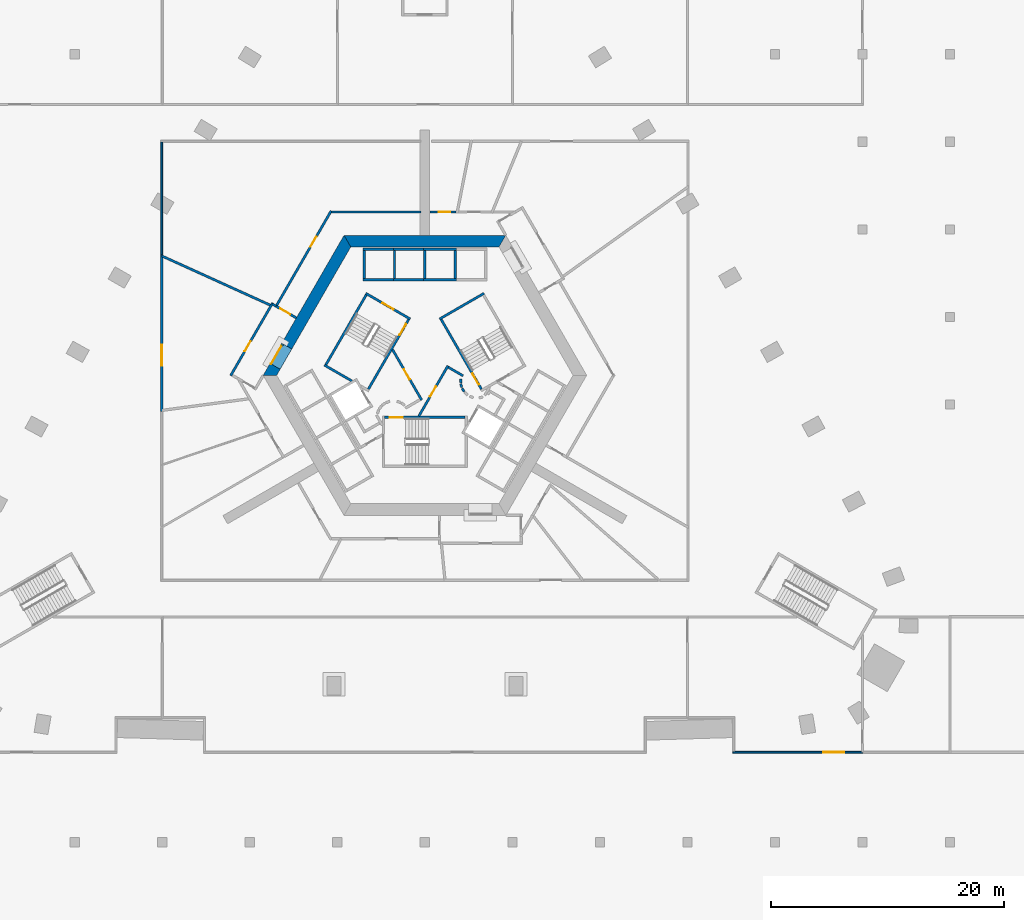
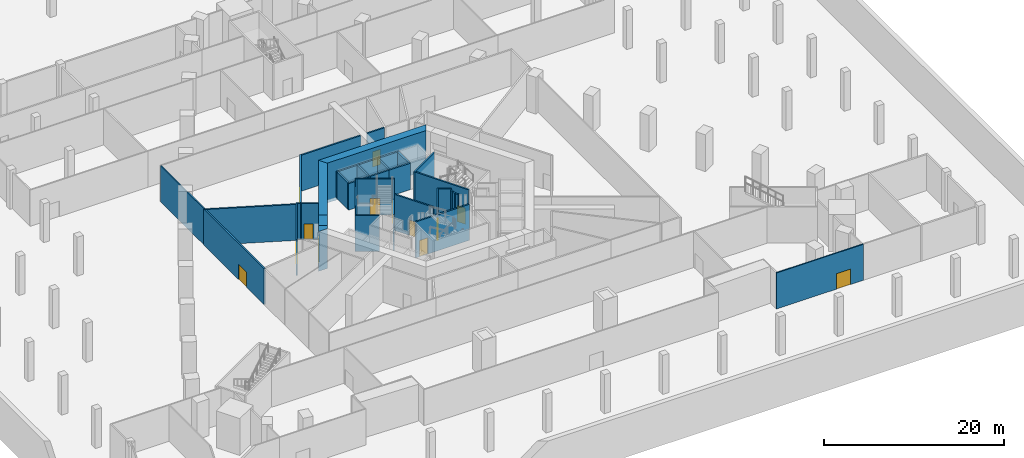
# One storey, part 7 of 20: 38 walls, 13 doors, 13 openings.
"""IFC4 building model written with IfcOpenShell, lengths in metres."""

import ifcopenshell
import ifcopenshell.guid

model = None  # the IFC model being written
_history = None  # IfcOwnerHistory: only IFC2X3 demands one
_inside = {}  # id of a spatial element -> (the spatial element, [elements in it])
_under = {}  # id of a project, library or spatial element -> (it, [spatial elements below it])
_declared = {}  # id of a project -> (the project, [libraries it declares])
_typed = {}  # id of a type object -> (the type object, [elements of that type])
_made_of = {}  # id of a material, layer set ... -> (it, [elements and type objects made of it])


def new_model(schema):
    """Start an empty IFC model of exactly this schema.

    Asked for "IFC4X3", IfcOpenShell would pick the latest addendum, in which some entities
    have other attributes; the version numbers below select the first issue.
    IFC2X3 requires an IfcOwnerHistory on every rooted entity: one is made here for all.
    """
    global model, _history
    if schema == "IFC4X3":
        model = ifcopenshell.file(schema_version=(4, 3, 0, 0))
    else:
        model = ifcopenshell.file(schema=schema)
    _inside.clear()
    _under.clear()
    _declared.clear()
    _typed.clear()
    _made_of.clear()
    _history = None
    if model.schema == "IFC2X3":
        org = make("IfcOrganization", Name="unknown")
        user = make(
            "IfcPersonAndOrganization",
            ThePerson=make("IfcPerson", FamilyName="unknown"),
            TheOrganization=org,
        )
        app = make(
            "IfcApplication",
            ApplicationDeveloper=org,
            Version="unknown",
            ApplicationFullName="unknown",
            ApplicationIdentifier="unknown",
        )
        _history = make(
            "IfcOwnerHistory",
            OwningUser=user,
            OwningApplication=app,
            ChangeAction="ADDED",
            CreationDate=0,
        )
    return model


def make(cls, **values):
    """One entity of the class cls with the attributes given. An attribute that is None is left unset."""
    return model.create_entity(
        cls, **{name: value for name, value in values.items() if value is not None}
    )


def rooted(cls, **values):
    """An entity with a GlobalId (a new one), such as an element, a storey or a relation."""
    return make(cls, GlobalId=ifcopenshell.guid.new(), OwnerHistory=_history, **values)


def si_unit(unit_type, name, prefix=None):
    """IfcSIUnit, for example si_unit("LENGTHUNIT", "METRE", prefix="MILLI")."""
    return make("IfcSIUnit", UnitType=unit_type, Prefix=prefix, Name=name)


def assignment(units):
    """IfcUnitAssignment: the units of a project."""
    return None if units is None else make("IfcUnitAssignment", Units=units)


def point(xyz):
    """IfcCartesianPoint."""
    return None if xyz is None else make("IfcCartesianPoint", Coordinates=xyz)


def direction(xyz):
    """IfcDirection."""
    return None if xyz is None else make("IfcDirection", DirectionRatios=xyz)


def frame(location, z_axis=None, x_axis=None):
    """IfcAxis2Placement3D, a coordinate frame: its origin and axes. An axis left out is left unset."""
    return make(
        "IfcAxis2Placement3D",
        Location=point(location),
        Axis=direction(z_axis),
        RefDirection=direction(x_axis),
    )


def frame_2d(location, x_axis=None):
    """IfcAxis2Placement2D, a coordinate frame in the plane: its origin and x axis."""
    return make(
        "IfcAxis2Placement2D", Location=point(location), RefDirection=direction(x_axis)
    )


def origin():
    """The frame at (0, 0, 0) with its axes left unset."""
    return frame((0.0, 0.0, 0.0))


def place(relative_to, where):
    """IfcLocalPlacement: puts the frame where relative to a parent placement (None: the world)."""
    return make(
        "IfcLocalPlacement", PlacementRelTo=relative_to, RelativePlacement=where
    )


def context(
    kind, dimensions, precision=None, world=None, true_north=None, identifier=None
):
    """IfcGeometricRepresentationContext, for example the 3D "Model" context."""
    return make(
        "IfcGeometricRepresentationContext",
        ContextIdentifier=identifier,
        ContextType=kind,
        CoordinateSpaceDimension=dimensions,
        Precision=precision,
        WorldCoordinateSystem=world,
        TrueNorth=true_north,
    )


def subcontext(parent, identifier, kind, view, scale=None):
    """IfcGeometricRepresentationSubContext, for example "Body" below "Model"."""
    return make(
        "IfcGeometricRepresentationSubContext",
        ContextIdentifier=identifier,
        ContextType=kind,
        ParentContext=parent,
        TargetScale=scale,
        TargetView=view,
    )


def project(units=None, contexts=None):
    """IfcProject with its units and contexts."""
    return rooted(
        "IfcProject",
        Name="project",
        RepresentationContexts=contexts,
        UnitsInContext=assignment(units),
    )


def spatial(cls, under=None, at=None, **own):
    """A site, building, storey or space (cls), placed at a placement, below another one or the project."""
    s = rooted(cls, ObjectPlacement=at, **own)
    if under is not None:
        _under.setdefault(under.id(), (under, []))[1].append(s)
    return s


def polyline(points):
    """IfcPolyline through the points."""
    return make("IfcPolyline", Points=[point(p) for p in points])


def profile(cls, at=None, kind="AREA", **sizes):
    """A parametric profile (cls). Its sizes go by their IFC names, for example OverallWidth=200.0."""
    return make(cls, ProfileType=kind, Position=at, **sizes)


def rectangle(**sizes):
    """IfcRectangleProfileDef."""
    return profile("IfcRectangleProfileDef", **sizes)


def outline(outer, holes=None, kind="AREA"):
    """IfcArbitraryClosedProfileDef: a profile drawn as a closed curve; with holes, ...WithVoids."""
    if holes is None:
        return make("IfcArbitraryClosedProfileDef", ProfileType=kind, OuterCurve=outer)
    return make(
        "IfcArbitraryProfileDefWithVoids",
        ProfileType=kind,
        OuterCurve=outer,
        InnerCurves=holes,
    )


def extrude(swept, where, along, depth):
    """IfcExtrudedAreaSolid: the profile swept, set in the frame where, extruded along a direction by depth."""
    return make(
        "IfcExtrudedAreaSolid",
        SweptArea=swept,
        Position=where,
        ExtrudedDirection=direction(along),
        Depth=depth,
    )


def shape(context_of_items, identifier, shape_type, items):
    """IfcShapeRepresentation: the items that make up one representation, for example the "Body"."""
    return make(
        "IfcShapeRepresentation",
        ContextOfItems=context_of_items,
        RepresentationIdentifier=identifier,
        RepresentationType=shape_type,
        Items=items,
    )


def material(Name=None, Category=None):
    """IfcMaterial."""
    return make("IfcMaterial", Name=Name, Category=Category)


def layer(
    of_material, thickness, ventilated=None, Name=None, Category=None, Priority=None
):
    """IfcMaterialLayer: one layer of a wall or slab, of a material (None: an air gap)."""
    return make(
        "IfcMaterialLayer",
        Material=of_material,
        LayerThickness=thickness,
        IsVentilated=ventilated,
        Name=Name,
        Category=Category,
        Priority=Priority,
    )


def layer_set(layers, Name=None):
    """IfcMaterialLayerSet."""
    return make("IfcMaterialLayerSet", MaterialLayers=layers, LayerSetName=Name)


def made_of(thing, what):
    """Note that an element or type object is made of a material, layer set ...; save() writes the relation."""
    if what is not None:
        _made_of.setdefault(what.id(), (what, []))[1].append(thing)
    return thing


def type_object(cls, material=None, **own):
    """A type object (cls), such as IfcWallType, which elements share."""
    return made_of(rooted(cls, **own), material)


def element(
    cls,
    number,
    at=None,
    inside=None,
    cuts=None,
    type_object=None,
    material=None,
    context=None,
    identifier="Body",
    shape_type=None,
    held_by="IfcProductDefinitionShape",
    body=None,
    shapes=None,
    **own,
):
    """One element of the class cls, such as IfcWall. Its Tag is "e" and its number.

    at: its placement. inside: the storey or other place that contains it. cuts: it is an
    opening in that element (IfcRelVoidsElement). A single representation is given by context,
    identifier, shape_type and body (its items); several are given by shapes. held_by: the class
    of the entity that holds the representations. save() writes the other relations.
    """
    e = rooted(cls, Tag="e%d" % number, ObjectPlacement=at, **own)
    if body is not None:
        shapes = [shape(context, identifier, shape_type, body)]
    if shapes is not None:
        e.Representation = make(held_by, Representations=shapes)
    if inside is not None:
        _inside.setdefault(inside.id(), (inside, []))[1].append(e)
    if cuts is not None:
        rooted(
            "IfcRelVoidsElement", RelatingBuildingElement=cuts, RelatedOpeningElement=e
        )
    if type_object is not None:
        _typed.setdefault(type_object.id(), (type_object, []))[1].append(e)
    return made_of(e, material)


def fill(opening, filler):
    """IfcRelFillsElement: the door or window that sits in an opening."""
    return rooted(
        "IfcRelFillsElement",
        RelatingOpeningElement=opening,
        RelatedBuildingElement=filler,
    )


def aggregate(whole, parts):
    """IfcRelAggregates: a whole, such as a stair, and the parts it consists of."""
    return rooted("IfcRelAggregates", RelatingObject=whole, RelatedObjects=parts)


def save(model, path):
    """Write the relations noted so far, then the file.

    IfcRelAggregates (storeys below a building ...), IfcRelContainedInSpatialStructure (elements
    in a storey), IfcRelDefinesByType, IfcRelAssociatesMaterial and IfcRelDeclares: one each for
    every whole, place, type object, material and project.
    """
    for whole, parts in _under.values():
        aggregate(whole, parts)
    for where, things in _inside.values():
        rooted(
            "IfcRelContainedInSpatialStructure",
            RelatedElements=things,
            RelatingStructure=where,
        )
    for kind, things in _typed.values():
        rooted("IfcRelDefinesByType", RelatedObjects=things, RelatingType=kind)
    for what, things in _made_of.values():
        rooted("IfcRelAssociatesMaterial", RelatedObjects=things, RelatingMaterial=what)
    for by, libraries in _declared.values():
        rooted("IfcRelDeclares", RelatingContext=by, RelatedDefinitions=libraries)
    model.write(path)


model = new_model("IFC4")

# Units and contexts
model_context = context("Model", 3, precision=1e-05, world=origin(), true_north=direction((0.0, 1.0)))
body_context = subcontext(model_context, "Body", "Model", "MODEL_VIEW")
ifc_project = project(units=[si_unit("LENGTHUNIT", "METRE"), si_unit("AREAUNIT", "SQUARE_METRE"), si_unit("VOLUMEUNIT", "CUBIC_METRE"), si_unit("PLANEANGLEUNIT", "RADIAN"), si_unit("MASSUNIT", "GRAM", prefix="KILO")], contexts=[model_context])

# Site, building, storey
site_placement = place(None, origin())
site = spatial("IfcSite", under=ifc_project, at=site_placement, CompositionType="ELEMENT")
building_placement = place(site_placement, origin())
building = spatial("IfcBuilding", under=site, at=building_placement, Name="Entoto Arch Interchange Tower", CompositionType="ELEMENT")
storey_placement = place(building_placement, frame((0.0, 0.0, -5.5)))
storey = spatial("IfcBuildingStorey", under=building, at=storey_placement, Name="B1", CompositionType="ELEMENT", Elevation=-5.5)

# Wall, opening, door
ifc_material_1 = material(Name="Reinforced concrete C40/50", Category="concrete")
ifc_layer_1 = layer(ifc_material_1, 0.199951171875)
ifc_layer_set_1 = layer_set([ifc_layer_1], Name="Reinforced concrete C40/50")
wall_type_1 = type_object("IfcWallType", Name="CORE GAP INFILL WALL", PredefinedType="PARTITIONING", material=ifc_layer_set_1)
wall_1_placement = place(storey_placement, frame((-12.179931640625, 5.201904296875, 0.0), z_axis=(0.0, 0.0, 1.0), x_axis=(-0.50002537861, -0.866010750942, 0.0)))
wall_1 = element("IfcWall", 1, at=wall_1_placement, inside=storey, type_object=wall_type_1, Name="wall:B1:gap3", PredefinedType="PARTITIONING", context=body_context, shape_type="SweptSolid", body=[
    extrude(rectangle(XDim=2.0, YDim=0.199951171875, at=frame_2d((1.0, 0.0))), origin(), (0.0, 0.0, 1.0), 2.39990234375),
])
opening_1_placement = place(wall_1_placement, frame((0.18994140625, 0.0, 0.0)))
opening_1 = element("IfcOpeningElement", 2, at=opening_1_placement, cuts=wall_1, Name="Opening B1-D93", PredefinedType="OPENING", context=body_context, shape_type="SweptSolid", body=[
    extrude(rectangle(XDim=1.800048828125, YDim=2.10009765625, at=frame_2d((0.89990234375, 1.050048828125))), frame((0.0, 0.10986328125, 0.0), z_axis=(0.0, -1.0, 0.0), x_axis=(1.0, 0.0, 0.0)), (0.0, 0.0, 1.0), 0.219970703125),
])
ifc_material_2 = material(Name="Fire-rated Steel S235 door and frame", Category="steel")
door_type_1 = type_object("IfcDoorType", Name="DOOR FD-18 1800x2100", OperationType="DOUBLE_DOOR_SINGLE_SWING", PredefinedType="DOOR", material=ifc_material_2)
door_1_placement = place(opening_1_placement, origin())
door_1 = element("IfcDoor", 3, at=door_1_placement, inside=storey, type_object=door_type_1, Name="door:B1:gap3", OperationType="DOUBLE_DOOR_SINGLE_SWING", OverallHeight=2.10009765625, OverallWidth=1.800048828125, PredefinedType="DOOR", context=body_context, shape_type="SweptSolid", body=[
    extrude(rectangle(XDim=1.800048828125, YDim=2.10009765625, at=frame_2d((0.89990234375, 1.050048828125))), frame((0.0, 0.02490234375, 0.0), z_axis=(0.0, -1.0, 0.0), x_axis=(1.0, 0.0, 0.0)), (0.0, 0.0, 1.0), 0.050048828125),
])
fill(opening_1, door_1)

# Walls
ifc_material_3 = material(Name="Concrete C60/75", Category="concrete")
ifc_layer_2 = layer(ifc_material_3, 1.0)
ifc_layer_set_2 = layer_set([ifc_layer_2], Name="Concrete C60/75")
wall_type_2 = type_object("IfcWallType", Name="Core wall 1000 C60/75", PredefinedType="SHEAR", material=ifc_layer_set_2)
wall_2_placement = place(storey_placement, frame((0.0, 0.0, -0.419921875)))
element("IfcWall", 4, at=wall_2_placement, inside=storey, type_object=wall_type_2, Name="Core wall N B1", PredefinedType="SHEAR", context=body_context, shape_type="SweptSolid", body=[
    extrude(outline(polyline([(6.927978515625, 14.5), (-6.927978515625, 14.5), (-6.35107421875, 13.5), (6.35107421875, 13.5), (6.927978515625, 14.5)])), origin(), (0.0, 0.0, 1.0), 5.419921875),
])
wall_3_placement = place(storey_placement, frame((0.0, 0.0, -0.419921875)))
element("IfcWall", 5, at=wall_3_placement, inside=storey, type_object=wall_type_2, Name="Core wall NW B1", PredefinedType="SHEAR", context=body_context, shape_type="SweptSolid", body=[
    extrude(outline(polyline([(-12.26708984375, 5.251953125), (-11.402099609375, 4.751953125), (-6.35107421875, 13.5), (-6.927978515625, 14.5), (-12.26708984375, 5.251953125)])), origin(), (0.0, 0.0, 1.0), 5.419921875),
])
wall_4_placement = place(storey_placement, frame((0.0, 0.0, -0.419921875)))
element("IfcWall", 6, at=wall_4_placement, inside=storey, type_object=wall_type_2, Name="Core wall NW B1", PredefinedType="SHEAR", context=body_context, shape_type="SweptSolid", body=[
    extrude(outline(polyline([(-12.402099609375, 3.02001953125), (-13.26708984375, 3.52001953125), (-13.85595703125, 2.5), (-12.701904296875, 2.5), (-12.402099609375, 3.02001953125)])), origin(), (0.0, 0.0, 1.0), 5.419921875),
])
wall_5_placement = place(storey_placement, frame((0.0, 0.0, 3.60009765625)))
element("IfcWall", 7, at=wall_5_placement, inside=storey, type_object=wall_type_2, Name="Core wall lintel NW B1", PredefinedType="SHEAR", context=body_context, shape_type="SweptSolid", body=[
    extrude(outline(polyline([(-13.26708984375, 3.52001953125), (-12.402099609375, 3.02001953125), (-11.402099609375, 4.751953125), (-12.26708984375, 5.251953125), (-13.26708984375, 3.52001953125)])), origin(), (0.0, 0.0, 1.0), 1.39990234375),
])
ifc_material_4 = material(Name="Concrete C40/50", Category="concrete")
ifc_layer_3 = layer(ifc_material_4, 0.199951171875)
ifc_layer_set_3 = layer_set([ifc_layer_3], Name="Concrete C40/50")
wall_type_3 = type_object("IfcWallType", Name="LIFT SHAFT WALL 200", PredefinedType="STANDARD", material=ifc_layer_set_3)
wall_6_placement = place(storey_placement, frame((2.60009765625, 10.800048828125, 0.0), z_axis=(0.0, 0.0, 1.0), x_axis=(0.0, 1.0, 0.0)))
element("IfcWall", 8, at=wall_6_placement, inside=storey, type_object=wall_type_3, Name="Pit wall LR1 4", PredefinedType="STANDARD", context=body_context, shape_type="SweptSolid", body=[
    extrude(rectangle(XDim=2.39990234375, YDim=0.199951171875, at=frame_2d((1.199951171875, 0.0))), origin(), (0.0, 0.0, 1.0), 3.60009765625),
])
for number, where, z_axis, x_axis, name in (
    (9, (2.699951171875, 10.699951171875, 0.0), (0.0, 0.0, 1.0), (-1.0, 0.0, 0.0), "Pit wall LR2 1"),
    (10, (2.699951171875, 13.300048828125, 0.0), (0.0, 0.0, 1.0), (-1.0, 0.0, 0.0), "Pit wall LR2 2"),
):
    element("IfcWall", number, at=place(storey_placement, frame(where, z_axis=z_axis, x_axis=x_axis)), inside=storey, type_object=wall_type_3, Name=name, PredefinedType="STANDARD", context=body_context, shape_type="SweptSolid", body=[
        extrude(rectangle(XDim=2.800048828125, YDim=0.199951171875, at=frame_2d((1.39990234375, 0.0))), origin(), (0.0, 0.0, 1.0), 3.60009765625),
    ])
wall_7_placement = place(storey_placement, frame((0.0, 10.800048828125, 0.0), z_axis=(0.0, 0.0, 1.0), x_axis=(0.0, 1.0, 0.0)))
element("IfcWall", 11, at=wall_7_placement, inside=storey, type_object=wall_type_3, Name="Pit wall LR2 4", PredefinedType="STANDARD", context=body_context, shape_type="SweptSolid", body=[
    extrude(rectangle(XDim=2.39990234375, YDim=0.199951171875, at=frame_2d((1.199951171875, 0.0))), origin(), (0.0, 0.0, 1.0), 3.60009765625),
])
for number, where, z_axis, x_axis, name in (
    (12, (0.10009765625, 10.699951171875, 0.0), (0.0, 0.0, 1.0), (-1.0, 0.0, 0.0), "Pit wall LR3 1"),
    (13, (0.10009765625, 13.300048828125, 0.0), (0.0, 0.0, 1.0), (-1.0, 0.0, 0.0), "Pit wall LR3 2"),
):
    element("IfcWall", number, at=place(storey_placement, frame(where, z_axis=z_axis, x_axis=x_axis)), inside=storey, type_object=wall_type_3, Name=name, PredefinedType="STANDARD", context=body_context, shape_type="SweptSolid", body=[
        extrude(rectangle(XDim=2.800048828125, YDim=0.199951171875, at=frame_2d((1.39990234375, 0.0))), origin(), (0.0, 0.0, 1.0), 3.60009765625),
    ])
wall_8_placement = place(storey_placement, frame((-2.60009765625, 10.800048828125, 0.0), z_axis=(0.0, 0.0, 1.0), x_axis=(0.0, 1.0, 0.0)))
element("IfcWall", 14, at=wall_8_placement, inside=storey, type_object=wall_type_3, Name="Pit wall LR3 4", PredefinedType="STANDARD", context=body_context, shape_type="SweptSolid", body=[
    extrude(rectangle(XDim=2.39990234375, YDim=0.199951171875, at=frame_2d((1.199951171875, 0.0))), origin(), (0.0, 0.0, 1.0), 3.60009765625),
])
for number, where, z_axis, x_axis, name in (
    (15, (-2.5, 10.699951171875, 0.0), (0.0, 0.0, 1.0), (-1.0, 0.0, 0.0), "Pit wall LR4 1"),
    (16, (-2.5, 13.300048828125, 0.0), (0.0, 0.0, 1.0), (-1.0, 0.0, 0.0), "Pit wall LR4 2"),
):
    element("IfcWall", number, at=place(storey_placement, frame(where, z_axis=z_axis, x_axis=x_axis)), inside=storey, type_object=wall_type_3, Name=name, PredefinedType="STANDARD", context=body_context, shape_type="SweptSolid", body=[
        extrude(rectangle(XDim=2.800048828125, YDim=0.199951171875, at=frame_2d((1.39990234375, 0.0))), origin(), (0.0, 0.0, 1.0), 3.60009765625),
    ])
wall_9_placement = place(storey_placement, frame((-5.199951171875, 10.800048828125, 0.0), z_axis=(0.0, 0.0, 1.0), x_axis=(0.0, 1.0, 0.0)))
element("IfcWall", 17, at=wall_9_placement, inside=storey, type_object=wall_type_3, Name="Pit wall LR4 4", PredefinedType="STANDARD", context=body_context, shape_type="SweptSolid", body=[
    extrude(rectangle(XDim=2.39990234375, YDim=0.199951171875, at=frame_2d((1.199951171875, 0.0))), origin(), (0.0, 0.0, 1.0), 3.60009765625),
])
ifc_material_5 = material(Name="Gypsum board partition on steel studs", Category="steel")
ifc_layer_4 = layer(ifc_material_5, 0.14990234375)
ifc_layer_set_4 = layer_set([ifc_layer_4], Name="Gypsum board partition on steel studs")
wall_type_4 = type_object("IfcWallType", Name="PARTITION 150", PredefinedType="PARTITIONING", material=ifc_layer_set_4)
wall_10_placement = place(storey_placement, frame((-22.550048828125, 12.8310546875, 0.0), z_axis=(0.0, 0.0, 1.0), x_axis=(0.0, 1.0, 0.0)))
element("IfcWall", 18, at=wall_10_placement, inside=storey, type_object=wall_type_4, Name="wall:B1:p048", PredefinedType="PARTITIONING", context=body_context, shape_type="SweptSolid", body=[
    extrude(rectangle(XDim=9.64404296875, YDim=0.14990234375, at=frame_2d((4.822021484375, 0.0))), origin(), (0.0, 0.0, 1.0), 4.89990234375),
])

# Wall, opening, door
wall_11_placement = place(storey_placement, frame((37.574951171875, -29.800048828125, 0.0), z_axis=(0.0, 0.0, 1.0), x_axis=(-1.0, 0.0, 0.0)))
wall_11 = element("IfcWall", 19, at=wall_11_placement, inside=storey, type_object=wall_type_4, Name="wall:B1:p068", PredefinedType="PARTITIONING", context=body_context, shape_type="SweptSolid", body=[
    extrude(rectangle(XDim=11.182861328125, YDim=0.14990234375, at=frame_2d((5.59130859375, 0.0))), origin(), (0.0, 0.0, 1.0), 4.89990234375),
])
opening_2_placement = place(wall_11_placement, frame((1.655029296875, 0.0, 0.0)))
opening_2 = element("IfcOpeningElement", 20, at=opening_2_placement, cuts=wall_11, Name="Opening B1-D24", PredefinedType="OPENING", context=body_context, shape_type="SweptSolid", body=[
    extrude(rectangle(XDim=1.800048828125, YDim=2.10009765625, at=frame_2d((0.89990234375, 1.050048828125))), frame((0.0, 0.0849609375, 0.0), z_axis=(0.0, -1.0, 0.0), x_axis=(1.0, 0.0, 0.0)), (0.0, 0.0, 1.0), 0.169921875),
])
ifc_material_6 = material(Name="Timber door leaf in Steel S235 frame", Category="steel")
door_type_2 = type_object("IfcDoorType", Name="DOOR DD-18 1800x2100", OperationType="DOUBLE_DOOR_SINGLE_SWING", PredefinedType="DOOR", material=ifc_material_6)
door_2_placement = place(opening_2_placement, origin())
door_2 = element("IfcDoor", 21, at=door_2_placement, inside=storey, type_object=door_type_2, Name="door:B1:24", OperationType="DOUBLE_DOOR_SINGLE_SWING", OverallHeight=2.10009765625, OverallWidth=1.800048828125, PredefinedType="DOOR", context=body_context, shape_type="SweptSolid", body=[
    extrude(rectangle(XDim=1.800048828125, YDim=2.10009765625, at=frame_2d((0.89990234375, 1.050048828125))), frame((0.0, 0.02490234375, 0.0), z_axis=(0.0, -1.0, 0.0), x_axis=(1.0, 0.0, 0.0)), (0.0, 0.0, 1.0), 0.050048828125),
])
fill(opening_2, door_2)

ifc_layer_5 = layer(ifc_material_5, 0.199951171875)
ifc_layer_set_5 = layer_set([ifc_layer_5], Name="Gypsum board partition on steel studs")
wall_type_5 = type_object("IfcWallType", Name="PARTITION 200", PredefinedType="PARTITIONING", material=ifc_layer_set_5)
wall_12_placement = place(storey_placement, frame((0.449951171875, 16.5, 0.0), z_axis=(0.0, 0.0, 1.0), x_axis=(1.0, 0.0, 0.0)))
wall_12 = element("IfcWall", 22, at=wall_12_placement, inside=storey, type_object=wall_type_5, Name="wall:B1:p037", PredefinedType="PARTITIONING", context=body_context, shape_type="SweptSolid", body=[
    extrude(rectangle(XDim=2.22216796875, YDim=0.199951171875, at=frame_2d((1.111083984375, 0.0))), origin(), (0.0, 0.0, 1.0), 4.89990234375),
])
opening_3_placement = place(wall_12_placement, frame((0.741943359375, 0.0, 0.0)))
opening_3 = element("IfcOpeningElement", 23, at=opening_3_placement, cuts=wall_12, Name="Opening B1-D12", PredefinedType="OPENING", context=body_context, shape_type="SweptSolid", body=[
    extrude(rectangle(XDim=1.0, YDim=2.10009765625, at=frame_2d((0.5, 1.050048828125))), frame((0.0, 0.10986328125, 0.0), z_axis=(0.0, -1.0, 0.0), x_axis=(1.0, 0.0, 0.0)), (0.0, 0.0, 1.0), 0.219970703125),
])
door_type_3 = type_object("IfcDoorType", Name="DOOR DS-10 1000x2100", OperationType="SINGLE_SWING_LEFT", PredefinedType="DOOR", material=ifc_material_6)
door_3_placement = place(opening_3_placement, origin())
door_3 = element("IfcDoor", 24, at=door_3_placement, inside=storey, type_object=door_type_3, Name="door:B1:12", OperationType="SINGLE_SWING_RIGHT", OverallHeight=2.10009765625, OverallWidth=1.0, PredefinedType="DOOR", context=body_context, shape_type="SweptSolid", body=[
    extrude(rectangle(XDim=1.0, YDim=2.10009765625, at=frame_2d((0.5, 1.050048828125))), frame((0.0, 0.02490234375, 0.0), z_axis=(0.0, -1.0, 0.0), x_axis=(1.0, 0.0, 0.0)), (0.0, 0.0, 1.0), 0.050048828125),
])
fill(opening_3, door_3)

wall_13_placement = place(storey_placement, frame((-22.550048828125, -0.60791015625, 0.0), z_axis=(0.0, 0.0, 1.0), x_axis=(0.0, 1.0, 0.0)))
wall_13 = element("IfcWall", 25, at=wall_13_placement, inside=storey, type_object=wall_type_5, Name="wall:B1:p047", PredefinedType="PARTITIONING", context=body_context, shape_type="SweptSolid", body=[
    extrude(rectangle(XDim=13.43896484375, YDim=0.199951171875, at=frame_2d((6.719482421875, 0.0))), origin(), (0.0, 0.0, 1.0), 4.89990234375),
])
opening_4_placement = place(wall_13_placement, frame((3.929931640625, 0.0, 0.0)))
opening_4 = element("IfcOpeningElement", 26, at=opening_4_placement, cuts=wall_13, Name="Opening B1-D41", PredefinedType="OPENING", context=body_context, shape_type="SweptSolid", body=[
    extrude(rectangle(XDim=1.800048828125, YDim=2.10009765625, at=frame_2d((0.89990234375, 1.050048828125))), frame((0.0, 0.10986328125, 0.0), z_axis=(0.0, -1.0, 0.0), x_axis=(1.0, 0.0, 0.0)), (0.0, 0.0, 1.0), 0.219970703125),
])
door_4_placement = place(opening_4_placement, origin())
door_4 = element("IfcDoor", 27, at=door_4_placement, inside=storey, type_object=door_type_2, Name="door:B1:41", OperationType="DOUBLE_DOOR_SINGLE_SWING", OverallHeight=2.10009765625, OverallWidth=1.800048828125, PredefinedType="DOOR", context=body_context, shape_type="SweptSolid", body=[
    extrude(rectangle(XDim=1.800048828125, YDim=2.10009765625, at=frame_2d((0.89990234375, 1.050048828125))), frame((0.0, 0.02490234375, 0.0), z_axis=(0.0, -1.0, 0.0), x_axis=(1.0, 0.0, 0.0)), (0.0, 0.0, 1.0), 0.050048828125),
])
fill(opening_4, door_4)

wall_14_placement = place(storey_placement, frame((-12.7490234375, 8.4169921875, 0.0), z_axis=(0.0, 0.0, 1.0), x_axis=(0.866010750942, -0.50002537861, 0.0)))
wall_14 = element("IfcWall", 28, at=wall_14_placement, inside=storey, type_object=wall_type_5, Name="wall:B1:p104", PredefinedType="PARTITIONING", context=body_context, shape_type="SweptSolid", body=[
    extrude(rectangle(XDim=2.0, YDim=0.199951171875, at=frame_2d((1.0, 0.0))), origin(), (0.0, 0.0, 1.0), 4.89990234375),
])
opening_5_placement = place(wall_14_placement, frame((0.39990234375, 0.0, 0.0)))
opening_5 = element("IfcOpeningElement", 29, at=opening_5_placement, cuts=wall_14, Name="Opening B1-D13", PredefinedType="OPENING", context=body_context, shape_type="SweptSolid", body=[
    extrude(rectangle(XDim=1.0, YDim=2.10009765625, at=frame_2d((0.5, 1.050048828125))), frame((0.0, 0.10986328125, 0.0), z_axis=(0.0, -1.0, 0.0), x_axis=(1.0, 0.0, 0.0)), (0.0, 0.0, 1.0), 0.219970703125),
])
door_type_4 = type_object("IfcDoorType", Name="DOOR FD-10 1000x2100", OperationType="SINGLE_SWING_LEFT", PredefinedType="DOOR", material=ifc_material_2)
door_5_placement = place(opening_5_placement, origin())
door_5 = element("IfcDoor", 30, at=door_5_placement, inside=storey, type_object=door_type_4, Name="door:B1:13", OperationType="SINGLE_SWING_LEFT", OverallHeight=2.10009765625, OverallWidth=1.0, PredefinedType="DOOR", context=body_context, shape_type="SweptSolid", body=[
    extrude(rectangle(XDim=1.0, YDim=2.10009765625, at=frame_2d((0.5, 1.050048828125))), frame((0.0, 0.02490234375, 0.0), z_axis=(0.0, -1.0, 0.0), x_axis=(1.0, 0.0, 0.0)), (0.0, 0.0, 1.0), 0.050048828125),
])
fill(opening_5, door_5)

wall_15_placement = place(storey_placement, frame((-16.64501953125, 2.468017578125, 0.0), z_axis=(0.0, 0.0, 1.0), x_axis=(0.499968011863, 0.866043871356, 0.0)))
wall_15 = element("IfcWall", 31, at=wall_15_placement, inside=storey, type_object=wall_type_5, Name="wall:B1:p107", PredefinedType="PARTITIONING", context=body_context, shape_type="SweptSolid", body=[
    extrude(rectangle(XDim=7.20068359375, YDim=0.199951171875, at=frame_2d((3.600341796875, 0.0))), origin(), (0.0, 0.0, 1.0), 4.89990234375),
])
opening_6_placement = place(wall_15_placement, frame((2.408935546875, 0.0, 0.0)))
opening_6 = element("IfcOpeningElement", 32, at=opening_6_placement, cuts=wall_15, Name="Opening B1-D15", PredefinedType="OPENING", context=body_context, shape_type="SweptSolid", body=[
    extrude(rectangle(XDim=1.0, YDim=2.10009765625, at=frame_2d((0.5, 1.050048828125))), frame((0.0, 0.10986328125, 0.0), z_axis=(0.0, -1.0, 0.0), x_axis=(1.0, 0.0, 0.0)), (0.0, 0.0, 1.0), 0.219970703125),
])
door_6_placement = place(opening_6_placement, origin())
door_6 = element("IfcDoor", 33, at=door_6_placement, inside=storey, type_object=door_type_4, Name="door:B1:15", OperationType="SINGLE_SWING_LEFT", OverallHeight=2.10009765625, OverallWidth=1.0, PredefinedType="DOOR", context=body_context, shape_type="SweptSolid", body=[
    extrude(rectangle(XDim=1.0, YDim=2.10009765625, at=frame_2d((0.5, 1.050048828125))), frame((0.0, 0.02490234375, 0.0), z_axis=(0.0, -1.0, 0.0), x_axis=(1.0, 0.0, 0.0)), (0.0, 0.0, 1.0), 0.050048828125),
])
fill(opening_6, door_6)

# Wall
wall_16_placement = place(storey_placement, frame((-13.08203125, 8.60888671875, 0.0), z_axis=(0.0, 0.0, 1.0), x_axis=(0.865998573537, -0.500046468473, 0.0)))
element("IfcWall", 34, at=wall_16_placement, inside=storey, type_object=wall_type_5, Name="wall:B1:p109", PredefinedType="PARTITIONING", context=body_context, shape_type="SweptSolid", body=[
    extrude(rectangle(XDim=0.36962890625, YDim=0.199951171875, at=frame_2d((0.184814453125, 0.0))), origin(), (0.0, 0.0, 1.0), 4.89990234375),
])

# Wall, opening, door
wall_17_placement = place(storey_placement, frame((-12.799072265625, 8.330078125, 0.0), z_axis=(0.0, 0.0, 1.0), x_axis=(0.499923440311, 0.86606960103, 0.0)))
wall_17 = element("IfcWall", 35, at=wall_17_placement, inside=storey, type_object=wall_type_5, Name="wall:B1:p110", PredefinedType="PARTITIONING", context=body_context, shape_type="SweptSolid", body=[
    extrude(rectangle(XDim=9.53369140625, YDim=0.199951171875, at=frame_2d((4.766845703125, 0.0))), origin(), (0.0, 0.0, 1.0), 4.89990234375),
])
opening_7_placement = place(wall_17_placement, frame((5.986083984375, 0.0, 0.0)))
opening_7 = element("IfcOpeningElement", 36, at=opening_7_placement, cuts=wall_17, Name="Opening B1-D16", PredefinedType="OPENING", context=body_context, shape_type="SweptSolid", body=[
    extrude(rectangle(XDim=1.0, YDim=2.10009765625, at=frame_2d((0.5, 1.050048828125))), frame((0.0, 0.10986328125, 0.0), z_axis=(0.0, -1.0, 0.0), x_axis=(1.0, 0.0, 0.0)), (0.0, 0.0, 1.0), 0.219970703125),
])
door_7_placement = place(opening_7_placement, origin())
door_7 = element("IfcDoor", 37, at=door_7_placement, inside=storey, type_object=door_type_3, Name="door:B1:16", OperationType="SINGLE_SWING_RIGHT", OverallHeight=2.10009765625, OverallWidth=1.0, PredefinedType="DOOR", context=body_context, shape_type="SweptSolid", body=[
    extrude(rectangle(XDim=1.0, YDim=2.10009765625, at=frame_2d((0.5, 1.050048828125))), frame((0.0, 0.02490234375, 0.0), z_axis=(0.0, -1.0, 0.0), x_axis=(1.0, 0.0, 0.0)), (0.0, 0.0, 1.0), 0.050048828125),
])
fill(opening_7, door_7)

# Walls
wall_18_placement = place(storey_placement, frame((-7.98291015625, 16.5, 0.0), z_axis=(0.0, 0.0, 1.0), x_axis=(1.0, 0.0, 0.0)))
element("IfcWall", 38, at=wall_18_placement, inside=storey, type_object=wall_type_5, Name="wall:B1:p111", PredefinedType="PARTITIONING", context=body_context, shape_type="SweptSolid", body=[
    extrude(rectangle(XDim=7.6328125, YDim=0.199951171875, at=frame_2d((3.81640625, 0.0))), origin(), (0.0, 0.0, 1.0), 4.89990234375),
])
wall_19_placement = place(storey_placement, frame((-22.527099609375, 12.720947265625, 0.0), z_axis=(0.0, 0.0, 1.0), x_axis=(0.910643923171, -0.413192019758, 0.0)))
element("IfcWall", 39, at=wall_19_placement, inside=storey, type_object=wall_type_5, Name="wall:B1:p114", PredefinedType="PARTITIONING", context=body_context, shape_type="SweptSolid", body=[
    extrude(rectangle(XDim=10.2685546875, YDim=0.199951171875, at=frame_2d((5.13427734375, 0.0))), origin(), (0.0, 0.0, 1.0), 4.89990234375),
])
wall_20_placement = place(storey_placement, frame((3.0791015625, 2.198974609375, 0.0), z_axis=(0.0, 0.0, 1.0), x_axis=(-0.047771483479, -0.998858290933, 0.0)))
element("IfcWall", 40, at=wall_20_placement, inside=storey, type_object=wall_type_5, Name="wall:B1:p142", PredefinedType="PARTITIONING", context=body_context, shape_type="SweptSolid", body=[
    extrude(rectangle(XDim=0.33740234375, YDim=0.199951171875, at=frame_2d((0.168701171875, 0.0))), origin(), (0.0, 0.0, 1.0), 4.89990234375),
])
wall_21_placement = place(storey_placement, frame((3.070068359375, 1.785888671875, 0.0), z_axis=(0.0, 0.0, 1.0), x_axis=(0.242705583207, -0.970099994784, 0.0)))
element("IfcWall", 41, at=wall_21_placement, inside=storey, type_object=wall_type_5, Name="wall:B1:p143", PredefinedType="PARTITIONING", context=body_context, shape_type="SweptSolid", body=[
    extrude(rectangle(XDim=0.337890625, YDim=0.199951171875, at=frame_2d((0.1689453125, 0.0))), origin(), (0.0, 0.0, 1.0), 4.89990234375),
])
wall_22_placement = place(storey_placement, frame((3.181884765625, 1.387939453125, 0.0), z_axis=(0.0, 0.0, 1.0), x_axis=(0.512474702713, -0.85870232274, 0.0)))
element("IfcWall", 42, at=wall_22_placement, inside=storey, type_object=wall_type_5, Name="wall:B1:p144", PredefinedType="PARTITIONING", context=body_context, shape_type="SweptSolid", body=[
    extrude(rectangle(XDim=0.337646484375, YDim=0.199951171875, at=frame_2d((0.1689453125, 0.0))), origin(), (0.0, 0.0, 1.0), 4.89990234375),
])

# Wall, opening, door
wall_23_placement = place(storey_placement, frame((-0.52001953125, -1.0, 0.0), z_axis=(0.0, 0.0, 1.0), x_axis=(0.50011622646, 0.865958290007, 0.0)))
wall_23 = element("IfcWall", 43, at=wall_23_placement, inside=storey, type_object=wall_type_5, Name="wall:B1:p148", PredefinedType="PARTITIONING", context=body_context, shape_type="SweptSolid", body=[
    extrude(rectangle(XDim=4.990966796875, YDim=0.199951171875, at=frame_2d((2.49560546875, 0.0))), origin(), (0.0, 0.0, 1.0), 4.89990234375),
])
opening_8_placement = place(wall_23_placement, frame((1.945068359375, 0.0, 0.0)))
opening_8 = element("IfcOpeningElement", 44, at=opening_8_placement, cuts=wall_23, Name="Opening B1-D42", PredefinedType="OPENING", context=body_context, shape_type="SweptSolid", body=[
    extrude(rectangle(XDim=1.0, YDim=2.10009765625, at=frame_2d((0.5, 1.050048828125))), frame((0.0, 0.10986328125, 0.0), z_axis=(0.0, -1.0, 0.0), x_axis=(1.0, 0.0, 0.0)), (0.0, 0.0, 1.0), 0.219970703125),
])
door_8_placement = place(opening_8_placement, origin())
door_8 = element("IfcDoor", 45, at=door_8_placement, inside=storey, type_object=door_type_4, Name="door:B1:42", OperationType="SINGLE_SWING_LEFT", OverallHeight=2.10009765625, OverallWidth=1.0, PredefinedType="DOOR", context=body_context, shape_type="SweptSolid", body=[
    extrude(rectangle(XDim=1.0, YDim=2.10009765625, at=frame_2d((0.5, 1.050048828125))), frame((0.0, 0.02490234375, 0.0), z_axis=(0.0, -1.0, 0.0), x_axis=(1.0, 0.0, 0.0)), (0.0, 0.0, 1.0), 0.050048828125),
])
fill(opening_8, door_8)

# Wall
wall_24_placement = place(storey_placement, frame((2.011962890625, 3.18603515625, 0.0), z_axis=(0.0, 0.0, 1.0), x_axis=(0.865891012941, -0.500232699559, 0.0)))
element("IfcWall", 46, at=wall_24_placement, inside=storey, type_object=wall_type_5, Name="wall:B1:p149", PredefinedType="PARTITIONING", context=body_context, shape_type="SweptSolid", body=[
    extrude(rectangle(XDim=1.449462890625, YDim=0.199951171875, at=frame_2d((0.724609375, 0.0))), origin(), (0.0, 0.0, 1.0), 4.89990234375),
])

# Wall, opening, door
wall_25_placement = place(storey_placement, frame((-2.77099609375, 4.699951171875, 0.0), z_axis=(0.0, 0.0, 1.0), x_axis=(0.499969479948, -0.866043023828, 0.0)))
wall_25 = element("IfcWall", 47, at=wall_25_placement, inside=storey, type_object=wall_type_5, Name="wall:B1:p157", PredefinedType="PARTITIONING", context=body_context, shape_type="SweptSolid", body=[
    extrude(rectangle(XDim=4.990478515625, YDim=0.199951171875, at=frame_2d((2.4951171875, 0.0))), origin(), (0.0, 0.0, 1.0), 4.89990234375),
])
opening_9_placement = place(wall_25_placement, frame((1.945068359375, 0.0, 0.0)))
opening_9 = element("IfcOpeningElement", 48, at=opening_9_placement, cuts=wall_25, Name="Opening B1-D43", PredefinedType="OPENING", context=body_context, shape_type="SweptSolid", body=[
    extrude(rectangle(XDim=1.0, YDim=2.10009765625, at=frame_2d((0.5, 1.050048828125))), frame((0.0, 0.10986328125, 0.0), z_axis=(0.0, -1.0, 0.0), x_axis=(1.0, 0.0, 0.0)), (0.0, 0.0, 1.0), 0.219970703125),
])
door_9_placement = place(opening_9_placement, origin())
door_9 = element("IfcDoor", 49, at=door_9_placement, inside=storey, type_object=door_type_4, Name="door:B1:43", OperationType="SINGLE_SWING_RIGHT", OverallHeight=2.10009765625, OverallWidth=1.0, PredefinedType="DOOR", context=body_context, shape_type="SweptSolid", body=[
    extrude(rectangle(XDim=1.0, YDim=2.10009765625, at=frame_2d((0.5, 1.050048828125))), frame((0.0, 0.02490234375, 0.0), z_axis=(0.0, -1.0, 0.0), x_axis=(1.0, 0.0, 0.0)), (0.0, 0.0, 1.0), 0.050048828125),
])
fill(opening_9, door_9)

ifc_layer_6 = layer(ifc_material_4, 0.199951171875)
ifc_layer_set_6 = layer_set([ifc_layer_6], Name="Concrete C40/50")
wall_type_6 = type_object("IfcWallType", Name="STAIR ENCLOSURE WALL 200", PredefinedType="STANDARD", material=ifc_layer_set_6)
wall_26_placement = place(storey_placement, frame((-3.449951171875, -1.10009765625, 0.0), z_axis=(0.0, 0.0, 1.0), x_axis=(1.0, 0.0, 0.0)))
wall_26 = element("IfcWall", 50, at=wall_26_placement, inside=storey, type_object=wall_type_6, Name="Stair wall ST-S hall", PredefinedType="STANDARD", context=body_context, shape_type="SweptSolid", body=[
    extrude(rectangle(XDim=6.89990234375, YDim=0.199951171875, at=frame_2d((3.449951171875, 0.0))), origin(), (0.0, 0.0, 1.0), 4.89990234375),
])
opening_10_placement = place(wall_26_placement, frame((0.449951171875, 0.0, 0.0)))
opening_10 = element("IfcOpeningElement", 51, at=opening_10_placement, cuts=wall_26, Name="Opening SD-ST-S-B1", PredefinedType="OPENING", context=body_context, shape_type="SweptSolid", body=[
    extrude(rectangle(XDim=1.10009765625, YDim=2.199951171875, at=frame_2d((0.550048828125, 1.10009765625))), frame((0.0, 0.10986328125, 0.0), z_axis=(0.0, -1.0, 0.0), x_axis=(1.0, 0.0, 0.0)), (0.0, 0.0, 1.0), 0.219970703125),
])
ifc_material_7 = material(Name="Steel S235", Category="steel")
door_type_5 = type_object("IfcDoorType", Name="STAIR DOOR SD1 1100x2200", OperationType="SINGLE_SWING_LEFT", PredefinedType="DOOR", material=ifc_material_7)
door_10_placement = place(opening_10_placement, origin())
door_10 = element("IfcDoor", 52, at=door_10_placement, inside=storey, type_object=door_type_5, Name="Stair door ST-S B1", OperationType="SINGLE_SWING_LEFT", OverallHeight=2.199951171875, OverallWidth=1.10009765625, PredefinedType="DOOR", context=body_context, shape_type="SweptSolid", body=[
    extrude(rectangle(XDim=1.10009765625, YDim=2.199951171875, at=frame_2d((0.550048828125, 1.10009765625))), frame((0.0, 0.02490234375, 0.0), z_axis=(0.0, -1.0, 0.0), x_axis=(1.0, 0.0, 0.0)), (0.0, 0.0, 1.0), 0.050048828125),
])
fill(opening_10, door_10)

# Wall
wall_27_placement = place(storey_placement, frame((1.256103515625, 7.323974609375, 0.0), z_axis=(0.0, 0.0, 1.0), x_axis=(0.866046073146, 0.499964197906, 0.0)))
element("IfcWall", 53, at=wall_27_placement, inside=storey, type_object=wall_type_6, Name="Stair wall ST-NE far", PredefinedType="STANDARD", context=body_context, shape_type="SweptSolid", body=[
    extrude(rectangle(XDim=4.400146484375, YDim=0.199951171875, at=frame_2d((2.2001953125, 0.0))), origin(), (0.0, 0.0, 1.0), 4.89990234375),
])

# Wall, opening, door
wall_28_placement = place(storey_placement, frame((4.843017578125, 1.31201171875, 0.0), z_axis=(0.0, 0.0, 1.0), x_axis=(-0.499963383562, 0.866046543262, 0.0)))
wall_28 = element("IfcWall", 54, at=wall_28_placement, inside=storey, type_object=wall_type_6, Name="Stair wall ST-NE hall", PredefinedType="STANDARD", context=body_context, shape_type="SweptSolid", body=[
    extrude(rectangle(XDim=6.900390625, YDim=0.199951171875, at=frame_2d((3.4501953125, 0.0))), origin(), (0.0, 0.0, 1.0), 4.89990234375),
])
opening_11_placement = place(wall_28_placement, frame((0.449951171875, 0.0, 0.0)))
opening_11 = element("IfcOpeningElement", 55, at=opening_11_placement, cuts=wall_28, Name="Opening SD-ST-NE-B1", PredefinedType="OPENING", context=body_context, shape_type="SweptSolid", body=[
    extrude(rectangle(XDim=1.10009765625, YDim=2.199951171875, at=frame_2d((0.550048828125, 1.10009765625))), frame((0.0, 0.10986328125, 0.0), z_axis=(0.0, -1.0, 0.0), x_axis=(1.0, 0.0, 0.0)), (0.0, 0.0, 1.0), 0.219970703125),
])
door_11_placement = place(opening_11_placement, origin())
door_11 = element("IfcDoor", 56, at=door_11_placement, inside=storey, type_object=door_type_5, Name="Stair door ST-NE B1", OperationType="SINGLE_SWING_LEFT", OverallHeight=2.199951171875, OverallWidth=1.10009765625, PredefinedType="DOOR", context=body_context, shape_type="SweptSolid", body=[
    extrude(rectangle(XDim=1.10009765625, YDim=2.199951171875, at=frame_2d((0.550048828125, 1.10009765625))), frame((0.0, 0.02490234375, 0.0), z_axis=(0.0, -1.0, 0.0), x_axis=(1.0, 0.0, 0.0)), (0.0, 0.0, 1.0), 0.050048828125),
])
fill(opening_11, door_11)

wall_29_placement = place(storey_placement, frame((-1.256103515625, 7.323974609375, 0.0), z_axis=(0.0, 0.0, 1.0), x_axis=(-0.866046073146, 0.499964197906, 0.0)))
wall_29 = element("IfcWall", 57, at=wall_29_placement, inside=storey, type_object=wall_type_6, Name="Stair wall ST-NW near", PredefinedType="STANDARD", context=body_context, shape_type="SweptSolid", body=[
    extrude(rectangle(XDim=4.400146484375, YDim=0.199951171875, at=frame_2d((2.2001953125, 0.0))), origin(), (0.0, 0.0, 1.0), 4.89990234375),
])
opening_12_placement = place(wall_29_placement, frame((1.64990234375, 0.0, 0.0)))
opening_12 = element("IfcOpeningElement", 58, at=opening_12_placement, cuts=wall_29, Name="Opening SD-ST-NW-B1-E", PredefinedType="OPENING", context=body_context, shape_type="SweptSolid", body=[
    extrude(rectangle(XDim=1.10009765625, YDim=2.199951171875, at=frame_2d((0.550048828125, 1.10009765625))), frame((0.0, 0.10986328125, 0.0), z_axis=(0.0, -1.0, 0.0), x_axis=(1.0, 0.0, 0.0)), (0.0, 0.0, 1.0), 0.219970703125),
])
door_12_placement = place(opening_12_placement, origin())
door_12 = element("IfcDoor", 59, at=door_12_placement, inside=storey, type_object=door_type_5, Name="Stair door ST-NW B1 end", OperationType="SINGLE_SWING_LEFT", OverallHeight=2.199951171875, OverallWidth=1.10009765625, PredefinedType="DOOR", context=body_context, shape_type="SweptSolid", body=[
    extrude(rectangle(XDim=1.10009765625, YDim=2.199951171875, at=frame_2d((0.550048828125, 1.10009765625))), frame((0.0, 0.02490234375, 0.0), z_axis=(0.0, -1.0, 0.0), x_axis=(1.0, 0.0, 0.0)), (0.0, 0.0, 1.0), 0.050048828125),
])
fill(opening_12, door_12)

# Wall
wall_30_placement = place(storey_placement, frame((-6.25, 2.010009765625, 0.0), z_axis=(0.0, 0.0, 1.0), x_axis=(-0.86611865017, 0.499838457731, 0.0)))
element("IfcWall", 60, at=wall_30_placement, inside=storey, type_object=wall_type_6, Name="Stair wall ST-NW far", PredefinedType="STANDARD", context=body_context, shape_type="SweptSolid", body=[
    extrude(rectangle(XDim=2.73291015625, YDim=0.199951171875, at=frame_2d((1.366455078125, 0.0))), origin(), (0.0, 0.0, 1.0), 4.89990234375),
])

# Wall, opening, door
wall_31_placement = place(storey_placement, frame((-1.39306640625, 7.2880859375, 0.0), z_axis=(0.0, 0.0, 1.0), x_axis=(-0.499963383562, -0.866046543262, 0.0)))
wall_31 = element("IfcWall", 61, at=wall_31_placement, inside=storey, type_object=wall_type_6, Name="Stair wall ST-NW hall", PredefinedType="STANDARD", context=body_context, shape_type="SweptSolid", body=[
    extrude(rectangle(XDim=6.900390625, YDim=0.199951171875, at=frame_2d((3.4501953125, 0.0))), origin(), (0.0, 0.0, 1.0), 4.89990234375),
])
opening_13_placement = place(wall_31_placement, frame((0.449951171875, 0.0, 0.0)))
opening_13 = element("IfcOpeningElement", 62, at=opening_13_placement, cuts=wall_31, Name="Opening SD-ST-NW-B1", PredefinedType="OPENING", context=body_context, shape_type="SweptSolid", body=[
    extrude(rectangle(XDim=1.10009765625, YDim=2.199951171875, at=frame_2d((0.550048828125, 1.10009765625))), frame((0.0, 0.10986328125, 0.0), z_axis=(0.0, -1.0, 0.0), x_axis=(1.0, 0.0, 0.0)), (0.0, 0.0, 1.0), 0.219970703125),
])
door_13_placement = place(opening_13_placement, origin())
door_13 = element("IfcDoor", 63, at=door_13_placement, inside=storey, type_object=door_type_5, Name="Stair door ST-NW B1", OperationType="SINGLE_SWING_LEFT", OverallHeight=2.199951171875, OverallWidth=1.10009765625, PredefinedType="DOOR", context=body_context, shape_type="SweptSolid", body=[
    extrude(rectangle(XDim=1.10009765625, YDim=2.199951171875, at=frame_2d((0.550048828125, 1.10009765625))), frame((0.0, 0.02490234375, 0.0), z_axis=(0.0, -1.0, 0.0), x_axis=(1.0, 0.0, 0.0)), (0.0, 0.0, 1.0), 0.050048828125),
])
fill(opening_13, door_13)

# Wall
wall_32_placement = place(storey_placement, frame((-5.030029296875, 9.387939453125, 0.0), z_axis=(0.0, 0.0, 1.0), x_axis=(-0.499978703459, -0.866037698999, 0.0)))
element("IfcWall", 64, at=wall_32_placement, inside=storey, type_object=wall_type_6, Name="Stair wall ST-NW back", PredefinedType="STANDARD", context=body_context, shape_type="SweptSolid", body=[
    extrude(rectangle(XDim=6.900146484375, YDim=0.199951171875, at=frame_2d((3.4501953125, 0.0))), origin(), (0.0, 0.0, 1.0), 4.89990234375),
])

save(model, "model.ifc")
